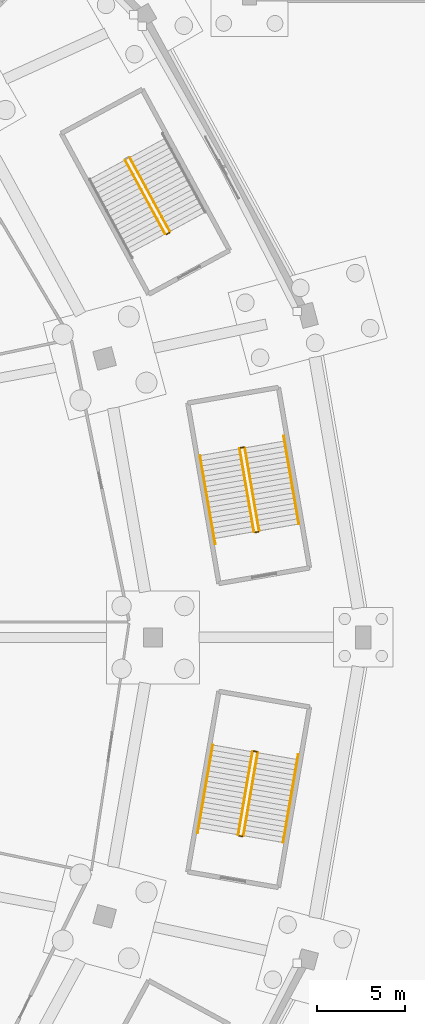
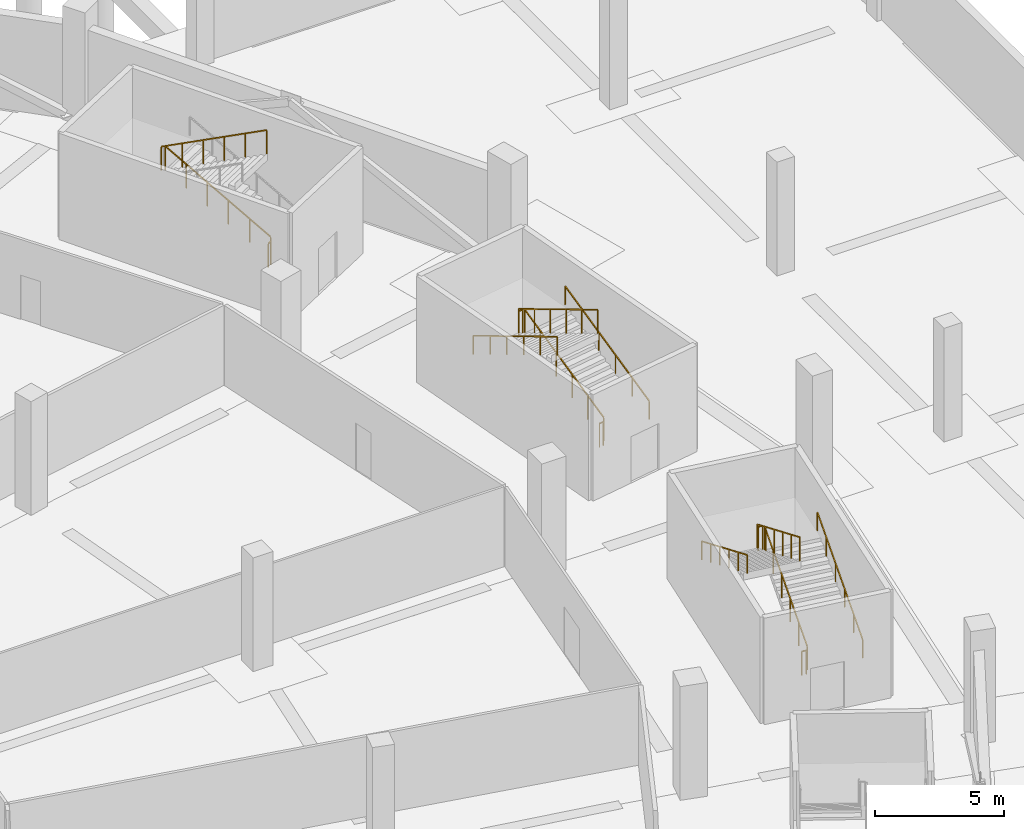
# One storey, part 67 of 74: 15 railings.
"""IFC4 building model written with IfcOpenShell, lengths in metres."""

from ifc_helpers import new_model, si_unit, direction, frame, origin, origin_2d, place, context, subcontext, project, spatial, rectangle, extrude, material, type_object, element, save


model = new_model("IFC4")

# Units and contexts
model_context = context("Model", 3, precision=1e-05, world=origin(), true_north=direction((0.0, 1.0)))
body_context = subcontext(model_context, "Body", "Model", "MODEL_VIEW")
ifc_project = project(units=[si_unit("LENGTHUNIT", "METRE"), si_unit("AREAUNIT", "SQUARE_METRE"), si_unit("VOLUMEUNIT", "CUBIC_METRE"), si_unit("PLANEANGLEUNIT", "RADIAN"), si_unit("MASSUNIT", "GRAM", prefix="KILO")], contexts=[model_context])

# Site, building, storey
site_placement = place(None, origin())
site = spatial("IfcSite", under=ifc_project, at=site_placement, CompositionType="ELEMENT")
building_placement = place(site_placement, origin())
building = spatial("IfcBuilding", under=site, at=building_placement, Name="Zlatoyarsky Gate Stadium", CompositionType="ELEMENT")
storey_placement = place(building_placement, frame((0.0, 0.0, -5.39990234375)))
storey = spatial("IfcBuildingStorey", under=building, at=storey_placement, Name="B1", CompositionType="ELEMENT", Elevation=-5.39990234375)

# Railings
ifc_material_1 = material(Name="Powder-coated steel stair guardrail", Category="steel")
railing_type_1 = type_object("IfcRailingType", Name="PAINTED STEEL STAIR WELL GUARDRAIL 1150", PredefinedType="GUARDRAIL", material=ifc_material_1)
railing_1_placement = place(storey_placement, frame((198.0595703125, 86.085693359375, 0.15869140625)))
element("IfcRailing", 1, at=railing_1_placement, inside=storey, type_object=railing_type_1, Name="ST-01 B1 stair guard 1", PredefinedType="GUARDRAIL", context=body_context, shape_type="SweptSolid", body=[
    extrude(rectangle(XDim=0.048095703125, YDim=0.048095703125, at=origin_2d()), frame((0.0, 0.0, 1.1259765625), z_axis=(-0.150181924986, 0.87092930159, 0.467896934206), x_axis=(-0.985456004189, -0.169930761806, 0.0)), (0.0, 0.0, 1.0), 5.43115234375),
    extrude(rectangle(XDim=0.0419921875, YDim=0.0419921875, at=origin_2d()), origin(), (0.0, 0.0, 1.0), 1.101806640625),
    extrude(rectangle(XDim=0.0419921875, YDim=0.0419921875, at=origin_2d()), frame((-0.1630859375, 0.946044921875, 0.50830078125)), (0.0, 0.0, 1.0), 1.101806640625),
    extrude(rectangle(XDim=0.0419921875, YDim=0.0419921875, at=origin_2d()), frame((-0.326171875, 1.89208984375, 1.0166015625)), (0.0, 0.0, 1.0), 1.101806640625),
    extrude(rectangle(XDim=0.0419921875, YDim=0.0419921875, at=origin_2d()), frame((-0.489501953125, 2.838134765625, 1.524658203125)), (0.0, 0.0, 1.0), 1.101806640625),
    extrude(rectangle(XDim=0.0419921875, YDim=0.0419921875, at=origin_2d()), frame((-0.652587890625, 3.7841796875, 2.032958984375)), (0.0, 0.0, 1.0), 1.101806640625),
    extrude(rectangle(XDim=0.0419921875, YDim=0.0419921875, at=origin_2d()), frame((-0.815673828125, 4.730224609375, 2.541259765625)), (0.0, 0.0, 1.0), 1.101806640625),
])
railing_2_placement = place(storey_placement, frame((197.18603515625, 90.856689453125, 2.699951171875)))
element("IfcRailing", 2, at=railing_2_placement, inside=storey, type_object=railing_type_1, Name="ST-01 B1 stair guard 2", PredefinedType="GUARDRAIL", context=body_context, shape_type="SweptSolid", body=[
    extrude(rectangle(XDim=0.048095703125, YDim=0.048095703125, at=origin_2d()), frame((0.0, 0.0, 1.1259765625), z_axis=(-0.985488304827, -0.16974333875, 0.0), x_axis=(0.16974333875, -0.985488304827, 0.0)), (0.0, 0.0, 1.0), 0.199951171875),
    extrude(rectangle(XDim=0.0419921875, YDim=0.0419921875, at=origin_2d()), origin(), (0.0, 0.0, 1.0), 1.101806640625),
    extrude(rectangle(XDim=0.0419921875, YDim=0.0419921875, at=origin_2d()), frame((-0.197021484375, -0.033935546875, 0.0)), (0.0, 0.0, 1.0), 1.101806640625),
])
railing_3_placement = place(storey_placement, frame((196.9482421875, 90.764892578125, 2.858642578125)))
element("IfcRailing", 3, at=railing_3_placement, inside=storey, type_object=railing_type_1, Name="ST-01 B1 stair guard 3", PredefinedType="GUARDRAIL", context=body_context, shape_type="SweptSolid", body=[
    extrude(rectangle(XDim=0.048095703125, YDim=0.048095703125, at=origin_2d()), frame((0.0, 0.0, 1.1259765625), z_axis=(0.150187804698, -0.870918446042, 0.467915252651), x_axis=(0.985454535357, 0.169939279582, 0.0)), (0.0, 0.0, 1.0), 5.430908203125),
    extrude(rectangle(XDim=0.0419921875, YDim=0.0419921875, at=origin_2d()), origin(), (0.0, 0.0, 1.0), 1.101806640625),
    extrude(rectangle(XDim=0.0419921875, YDim=0.0419921875, at=origin_2d()), frame((0.1630859375, -0.946044921875, 0.50830078125)), (0.0, 0.0, 1.0), 1.101806640625),
    extrude(rectangle(XDim=0.0419921875, YDim=0.0419921875, at=origin_2d()), frame((0.326171875, -1.89208984375, 1.0166015625)), (0.0, 0.0, 1.0), 1.101806640625),
    extrude(rectangle(XDim=0.0419921875, YDim=0.0419921875, at=origin_2d()), frame((0.489501953125, -2.837890625, 1.524658203125)), (0.0, 0.0, 1.0), 1.101806640625),
    extrude(rectangle(XDim=0.0419921875, YDim=0.0419921875, at=origin_2d()), frame((0.652587890625, -3.783935546875, 2.032958984375)), (0.0, 0.0, 1.0), 1.101806640625),
    extrude(rectangle(XDim=0.0419921875, YDim=0.0419921875, at=origin_2d()), frame((0.815673828125, -4.72998046875, 2.541259765625)), (0.0, 0.0, 1.0), 1.101806640625),
])
railing_4_placement = place(storey_placement, frame((198.018798828125, 86.028076171875, 0.0)))
element("IfcRailing", 4, at=railing_4_placement, inside=storey, type_object=railing_type_1, Name="ST-01 B1 stair guard 4", PredefinedType="GUARDRAIL", context=body_context, shape_type="SweptSolid", body=[
    extrude(rectangle(XDim=0.048095703125, YDim=0.048095703125, at=origin_2d()), frame((0.0, 0.0, 1.1259765625), z_axis=(-0.985488304827, -0.16974333875, 0.0), x_axis=(0.16974333875, -0.985488304827, 0.0)), (0.0, 0.0, 1.0), 0.199951171875),
    extrude(rectangle(XDim=0.0419921875, YDim=0.0419921875, at=origin_2d()), origin(), (0.0, 0.0, 1.0), 1.101806640625),
    extrude(rectangle(XDim=0.0419921875, YDim=0.0419921875, at=origin_2d()), frame((-0.197021484375, -0.033935546875, 0.0)), (0.0, 0.0, 1.0), 1.101806640625),
])
railing_5_placement = place(storey_placement, frame((192.96484375, 103.16650390625, 0.15869140625)))
element("IfcRailing", 5, at=railing_5_placement, inside=storey, type_object=railing_type_1, Name="ST-13 B1 stair guard 1", PredefinedType="GUARDRAIL", context=body_context, shape_type="SweptSolid", body=[
    extrude(rectangle(XDim=0.048095703125, YDim=0.048095703125, at=origin_2d()), frame((0.0, 0.0, 1.1259765625), z_axis=(-0.421466855594, 0.776809804983, 0.467901930448), x_axis=(-0.878962478599, -0.4768909322, 0.0)), (0.0, 0.0, 1.0), 5.43115234375),
    extrude(rectangle(XDim=0.0419921875, YDim=0.0419921875, at=origin_2d()), origin(), (0.0, 0.0, 1.0), 1.101806640625),
    extrude(rectangle(XDim=0.0419921875, YDim=0.0419921875, at=origin_2d()), frame((-0.457763671875, 0.84375, 0.50830078125)), (0.0, 0.0, 1.0), 1.101806640625),
    extrude(rectangle(XDim=0.0419921875, YDim=0.0419921875, at=origin_2d()), frame((-0.91552734375, 1.6875, 1.0166015625)), (0.0, 0.0, 1.0), 1.101806640625),
    extrude(rectangle(XDim=0.0419921875, YDim=0.0419921875, at=origin_2d()), frame((-1.37353515625, 2.531494140625, 1.524658203125)), (0.0, 0.0, 1.0), 1.101806640625),
    extrude(rectangle(XDim=0.0419921875, YDim=0.0419921875, at=origin_2d()), frame((-1.831298828125, 3.375244140625, 2.032958984375)), (0.0, 0.0, 1.0), 1.101806640625),
    extrude(rectangle(XDim=0.0419921875, YDim=0.0419921875, at=origin_2d()), frame((-2.2890625, 4.218994140625, 2.541259765625)), (0.0, 0.0, 1.0), 1.101806640625),
])
railing_6_placement = place(storey_placement, frame((190.412109375, 107.242431640625, 2.858642578125)))
element("IfcRailing", 6, at=railing_6_placement, inside=storey, type_object=railing_type_1, Name="ST-13 B1 stair guard 3", PredefinedType="GUARDRAIL", context=body_context, shape_type="SweptSolid", body=[
    extrude(rectangle(XDim=0.048095703125, YDim=0.048095703125, at=origin_2d()), frame((0.0, 0.0, 1.1259765625), z_axis=(0.421466855594, -0.776809804983, 0.467901930448), x_axis=(0.878962478599, 0.4768909322, 0.0)), (0.0, 0.0, 1.0), 5.43115234375),
    extrude(rectangle(XDim=0.0419921875, YDim=0.0419921875, at=origin_2d()), origin(), (0.0, 0.0, 1.0), 1.101806640625),
    extrude(rectangle(XDim=0.0419921875, YDim=0.0419921875, at=origin_2d()), frame((0.457763671875, -0.84375, 0.50830078125)), (0.0, 0.0, 1.0), 1.101806640625),
    extrude(rectangle(XDim=0.0419921875, YDim=0.0419921875, at=origin_2d()), frame((0.91552734375, -1.6875, 1.0166015625)), (0.0, 0.0, 1.0), 1.101806640625),
    extrude(rectangle(XDim=0.0419921875, YDim=0.0419921875, at=origin_2d()), frame((1.37353515625, -2.531494140625, 1.524658203125)), (0.0, 0.0, 1.0), 1.101806640625),
    extrude(rectangle(XDim=0.0419921875, YDim=0.0419921875, at=origin_2d()), frame((1.831298828125, -3.375244140625, 2.032958984375)), (0.0, 0.0, 1.0), 1.101806640625),
    extrude(rectangle(XDim=0.0419921875, YDim=0.0419921875, at=origin_2d()), frame((2.2890625, -4.218994140625, 2.541259765625)), (0.0, 0.0, 1.0), 1.101806640625),
])
railing_7_placement = place(storey_placement, frame((192.94482421875, 103.098876953125, 0.0)))
element("IfcRailing", 7, at=railing_7_placement, inside=storey, type_object=railing_type_1, Name="ST-13 B1 stair guard 4", PredefinedType="GUARDRAIL", context=body_context, shape_type="SweptSolid", body=[
    extrude(rectangle(XDim=0.048095703125, YDim=0.048095703125, at=origin_2d()), frame((0.0, 0.0, 1.1259765625), z_axis=(-0.878780312785, -0.477226530971, 0.0), x_axis=(0.477226530971, -0.878780312785, 0.0)), (0.0, 0.0, 1.0), 0.199951171875),
    extrude(rectangle(XDim=0.0419921875, YDim=0.0419921875, at=origin_2d()), origin(), (0.0, 0.0, 1.0), 1.101806640625),
    extrude(rectangle(XDim=0.0419921875, YDim=0.0419921875, at=origin_2d()), frame((-0.17578125, -0.095458984375, 0.0)), (0.0, 0.0, 1.0), 1.101806640625),
])
railing_8_placement = place(storey_placement, frame((197.158935546875, 68.69140625, 0.15869140625)))
element("IfcRailing", 8, at=railing_8_placement, inside=storey, type_object=railing_type_1, Name="ST-20 B1 stair guard 1", PredefinedType="GUARDRAIL", context=body_context, shape_type="SweptSolid", body=[
    extrude(rectangle(XDim=0.048095703125, YDim=0.048095703125, at=origin_2d()), frame((0.0, 0.0, 1.1259765625), z_axis=(0.150187804698, 0.870918446042, 0.467915252651), x_axis=(-0.985454535357, 0.169939279582, 0.0)), (0.0, 0.0, 1.0), 5.430908203125),
    extrude(rectangle(XDim=0.0419921875, YDim=0.0419921875, at=origin_2d()), origin(), (0.0, 0.0, 1.0), 1.101806640625),
    extrude(rectangle(XDim=0.0419921875, YDim=0.0419921875, at=origin_2d()), frame((0.1630859375, 0.946044921875, 0.50830078125)), (0.0, 0.0, 1.0), 1.101806640625),
    extrude(rectangle(XDim=0.0419921875, YDim=0.0419921875, at=origin_2d()), frame((0.326171875, 1.89208984375, 1.0166015625)), (0.0, 0.0, 1.0), 1.101806640625),
    extrude(rectangle(XDim=0.0419921875, YDim=0.0419921875, at=origin_2d()), frame((0.489501953125, 2.837890625, 1.524658203125)), (0.0, 0.0, 1.0), 1.101806640625),
    extrude(rectangle(XDim=0.0419921875, YDim=0.0419921875, at=origin_2d()), frame((0.652587890625, 3.783935546875, 2.032958984375)), (0.0, 0.0, 1.0), 1.101806640625),
    extrude(rectangle(XDim=0.0419921875, YDim=0.0419921875, at=origin_2d()), frame((0.815673828125, 4.72998046875, 2.541259765625)), (0.0, 0.0, 1.0), 1.101806640625),
])
railing_9_placement = place(storey_placement, frame((197.933837890625, 73.479248046875, 2.699951171875)))
element("IfcRailing", 9, at=railing_9_placement, inside=storey, type_object=railing_type_1, Name="ST-20 B1 stair guard 2", PredefinedType="GUARDRAIL", context=body_context, shape_type="SweptSolid", body=[
    extrude(rectangle(XDim=0.048095703125, YDim=0.048095703125, at=origin_2d()), frame((0.0, 0.0, 1.1259765625), z_axis=(-0.985488304827, 0.16974333875, 0.0), x_axis=(-0.16974333875, -0.985488304827, 0.0)), (0.0, 0.0, 1.0), 0.199951171875),
    extrude(rectangle(XDim=0.0419921875, YDim=0.0419921875, at=origin_2d()), origin(), (0.0, 0.0, 1.0), 1.101806640625),
    extrude(rectangle(XDim=0.0419921875, YDim=0.0419921875, at=origin_2d()), frame((-0.197021484375, 0.033935546875, 0.0)), (0.0, 0.0, 1.0), 1.101806640625),
])
railing_10_placement = place(storey_placement, frame((197.678955078125, 73.472412109375, 2.858642578125)))
element("IfcRailing", 10, at=railing_10_placement, inside=storey, type_object=railing_type_1, Name="ST-20 B1 stair guard 3", PredefinedType="GUARDRAIL", context=body_context, shape_type="SweptSolid", body=[
    extrude(rectangle(XDim=0.048095703125, YDim=0.048095703125, at=origin_2d()), frame((0.0, 0.0, 1.1259765625), z_axis=(-0.150181924986, -0.87092930159, 0.467896934206), x_axis=(0.985456004189, -0.169930761806, 0.0)), (0.0, 0.0, 1.0), 5.43115234375),
    extrude(rectangle(XDim=0.0419921875, YDim=0.0419921875, at=origin_2d()), origin(), (0.0, 0.0, 1.0), 1.101806640625),
    extrude(rectangle(XDim=0.0419921875, YDim=0.0419921875, at=origin_2d()), frame((-0.1630859375, -0.946044921875, 0.50830078125)), (0.0, 0.0, 1.0), 1.101806640625),
    extrude(rectangle(XDim=0.0419921875, YDim=0.0419921875, at=origin_2d()), frame((-0.326171875, -1.89208984375, 1.0166015625)), (0.0, 0.0, 1.0), 1.101806640625),
    extrude(rectangle(XDim=0.0419921875, YDim=0.0419921875, at=origin_2d()), frame((-0.489501953125, -2.838134765625, 1.524658203125)), (0.0, 0.0, 1.0), 1.101806640625),
    extrude(rectangle(XDim=0.0419921875, YDim=0.0419921875, at=origin_2d()), frame((-0.652587890625, -3.7841796875, 2.032958984375)), (0.0, 0.0, 1.0), 1.101806640625),
    extrude(rectangle(XDim=0.0419921875, YDim=0.0419921875, at=origin_2d()), frame((-0.815673828125, -4.730224609375, 2.541259765625)), (0.0, 0.0, 1.0), 1.101806640625),
])
railing_11_placement = place(storey_placement, frame((197.10107421875, 68.650634765625, 0.0)))
element("IfcRailing", 11, at=railing_11_placement, inside=storey, type_object=railing_type_1, Name="ST-20 B1 stair guard 4", PredefinedType="GUARDRAIL", context=body_context, shape_type="SweptSolid", body=[
    extrude(rectangle(XDim=0.048095703125, YDim=0.048095703125, at=origin_2d()), frame((0.0, 0.0, 1.1259765625), z_axis=(-0.985488304827, 0.16974333875, 0.0), x_axis=(-0.16974333875, -0.985488304827, 0.0)), (0.0, 0.0, 1.0), 0.199951171875),
    extrude(rectangle(XDim=0.0419921875, YDim=0.0419921875, at=origin_2d()), origin(), (0.0, 0.0, 1.0), 1.101806640625),
    extrude(rectangle(XDim=0.0419921875, YDim=0.0419921875, at=origin_2d()), frame((-0.197021484375, 0.033935546875, 0.0)), (0.0, 0.0, 1.0), 1.101806640625),
])
ifc_material_2 = material(Name="Brushed stainless steel 316 handrail", Category="steel")
railing_type_2 = type_object("IfcRailingType", Name="STAINLESS STEEL TUBULAR HANDRAIL 900", PredefinedType="HANDRAIL", material=ifc_material_2)
railing_12_placement = place(storey_placement, frame((200.326171875, 86.4765625, 0.162841796875)))
element("IfcRailing", 12, at=railing_12_placement, inside=storey, type_object=railing_type_2, Name="ST-01 B1 stair handrail 1", PredefinedType="HANDRAIL", context=body_context, shape_type="SweptSolid", body=[
    extrude(rectangle(XDim=0.048095703125, YDim=0.048095703125, at=origin_2d()), frame((0.0, 0.0, 0.8759765625), z_axis=(-0.150191005061, 0.870938600052, 0.467876711259), x_axis=(-0.985454587494, -0.169938977247, 0.0)), (0.0, 0.0, 1.0), 5.770751953125),
    extrude(rectangle(XDim=0.0419921875, YDim=0.0419921875, at=origin_2d()), origin(), (0.0, 0.0, 1.0), 0.851806640625),
    extrude(rectangle(XDim=0.0419921875, YDim=0.0419921875, at=origin_2d()), frame((-0.17333984375, 1.005126953125, 0.5400390625)), (0.0, 0.0, 1.0), 0.851806640625),
    extrude(rectangle(XDim=0.0419921875, YDim=0.0419921875, at=origin_2d()), frame((-0.3466796875, 2.01025390625, 1.080078125)), (0.0, 0.0, 1.0), 0.851806640625),
    extrude(rectangle(XDim=0.0419921875, YDim=0.0419921875, at=origin_2d()), frame((-0.52001953125, 3.015625, 1.619873046875)), (0.0, 0.0, 1.0), 0.851806640625),
    extrude(rectangle(XDim=0.0419921875, YDim=0.0419921875, at=origin_2d()), frame((-0.693359375, 4.020751953125, 2.159912109375)), (0.0, 0.0, 1.0), 0.851806640625),
    extrude(rectangle(XDim=0.0419921875, YDim=0.0419921875, at=origin_2d()), frame((-0.86669921875, 5.02587890625, 2.699951171875)), (0.0, 0.0, 1.0), 0.851806640625),
])
railing_13_placement = place(storey_placement, frame((194.681640625, 90.374267578125, 2.86279296875)))
element("IfcRailing", 13, at=railing_13_placement, inside=storey, type_object=railing_type_2, Name="ST-01 B1 stair handrail 2", PredefinedType="HANDRAIL", context=body_context, shape_type="SweptSolid", body=[
    extrude(rectangle(XDim=0.048095703125, YDim=0.048095703125, at=origin_2d()), frame((0.0, 0.0, 0.8759765625), z_axis=(0.150191005061, -0.870938600052, 0.467876711259), x_axis=(0.985454587494, 0.169938977247, 0.0)), (0.0, 0.0, 1.0), 5.770751953125),
    extrude(rectangle(XDim=0.0419921875, YDim=0.0419921875, at=origin_2d()), origin(), (0.0, 0.0, 1.0), 0.851806640625),
    extrude(rectangle(XDim=0.0419921875, YDim=0.0419921875, at=origin_2d()), frame((0.17333984375, -1.005126953125, 0.5400390625)), (0.0, 0.0, 1.0), 0.851806640625),
    extrude(rectangle(XDim=0.0419921875, YDim=0.0419921875, at=origin_2d()), frame((0.3466796875, -2.01025390625, 1.080078125)), (0.0, 0.0, 1.0), 0.851806640625),
    extrude(rectangle(XDim=0.0419921875, YDim=0.0419921875, at=origin_2d()), frame((0.52001953125, -3.015625, 1.619873046875)), (0.0, 0.0, 1.0), 0.851806640625),
    extrude(rectangle(XDim=0.0419921875, YDim=0.0419921875, at=origin_2d()), frame((0.693359375, -4.020751953125, 2.159912109375)), (0.0, 0.0, 1.0), 0.851806640625),
    extrude(rectangle(XDim=0.0419921875, YDim=0.0419921875, at=origin_2d()), frame((0.86669921875, -5.02587890625, 2.699951171875)), (0.0, 0.0, 1.0), 0.851806640625),
])
railing_14_placement = place(storey_placement, frame((199.425537109375, 68.300537109375, 0.162841796875)))
element("IfcRailing", 14, at=railing_14_placement, inside=storey, type_object=railing_type_2, Name="ST-20 B1 stair handrail 1", PredefinedType="HANDRAIL", context=body_context, shape_type="SweptSolid", body=[
    extrude(rectangle(XDim=0.048095703125, YDim=0.048095703125, at=origin_2d()), frame((0.0, 0.0, 0.8759765625), z_axis=(0.150196539333, 0.870928383709, 0.467893951685), x_axis=(-0.985453204942, 0.169946994294, 0.0)), (0.0, 0.0, 1.0), 5.7705078125),
    extrude(rectangle(XDim=0.0419921875, YDim=0.0419921875, at=origin_2d()), origin(), (0.0, 0.0, 1.0), 0.851806640625),
    extrude(rectangle(XDim=0.0419921875, YDim=0.0419921875, at=origin_2d()), frame((0.17333984375, 1.005126953125, 0.5400390625)), (0.0, 0.0, 1.0), 0.851806640625),
    extrude(rectangle(XDim=0.0419921875, YDim=0.0419921875, at=origin_2d()), frame((0.3466796875, 2.01025390625, 1.080078125)), (0.0, 0.0, 1.0), 0.851806640625),
    extrude(rectangle(XDim=0.0419921875, YDim=0.0419921875, at=origin_2d()), frame((0.52001953125, 3.015380859375, 1.619873046875)), (0.0, 0.0, 1.0), 0.851806640625),
    extrude(rectangle(XDim=0.0419921875, YDim=0.0419921875, at=origin_2d()), frame((0.693359375, 4.0205078125, 2.159912109375)), (0.0, 0.0, 1.0), 0.851806640625),
    extrude(rectangle(XDim=0.0419921875, YDim=0.0419921875, at=origin_2d()), frame((0.86669921875, 5.025634765625, 2.699951171875)), (0.0, 0.0, 1.0), 0.851806640625),
])
railing_15_placement = place(storey_placement, frame((195.412353515625, 73.86328125, 2.86279296875)))
element("IfcRailing", 15, at=railing_15_placement, inside=storey, type_object=railing_type_2, Name="ST-20 B1 stair handrail 2", PredefinedType="HANDRAIL", context=body_context, shape_type="SweptSolid", body=[
    extrude(rectangle(XDim=0.048095703125, YDim=0.048095703125, at=origin_2d()), frame((0.0, 0.0, 0.8759765625), z_axis=(-0.150191005061, -0.870938600052, 0.467876711259), x_axis=(0.985454587494, -0.169938977247, 0.0)), (0.0, 0.0, 1.0), 5.770751953125),
    extrude(rectangle(XDim=0.0419921875, YDim=0.0419921875, at=origin_2d()), origin(), (0.0, 0.0, 1.0), 0.851806640625),
    extrude(rectangle(XDim=0.0419921875, YDim=0.0419921875, at=origin_2d()), frame((-0.17333984375, -1.005126953125, 0.5400390625)), (0.0, 0.0, 1.0), 0.851806640625),
    extrude(rectangle(XDim=0.0419921875, YDim=0.0419921875, at=origin_2d()), frame((-0.3466796875, -2.01025390625, 1.080078125)), (0.0, 0.0, 1.0), 0.851806640625),
    extrude(rectangle(XDim=0.0419921875, YDim=0.0419921875, at=origin_2d()), frame((-0.52001953125, -3.015625, 1.619873046875)), (0.0, 0.0, 1.0), 0.851806640625),
    extrude(rectangle(XDim=0.0419921875, YDim=0.0419921875, at=origin_2d()), frame((-0.693359375, -4.020751953125, 2.159912109375)), (0.0, 0.0, 1.0), 0.851806640625),
    extrude(rectangle(XDim=0.0419921875, YDim=0.0419921875, at=origin_2d()), frame((-0.86669921875, -5.02587890625, 2.699951171875)), (0.0, 0.0, 1.0), 0.851806640625),
])

save(model, "model.ifc")
